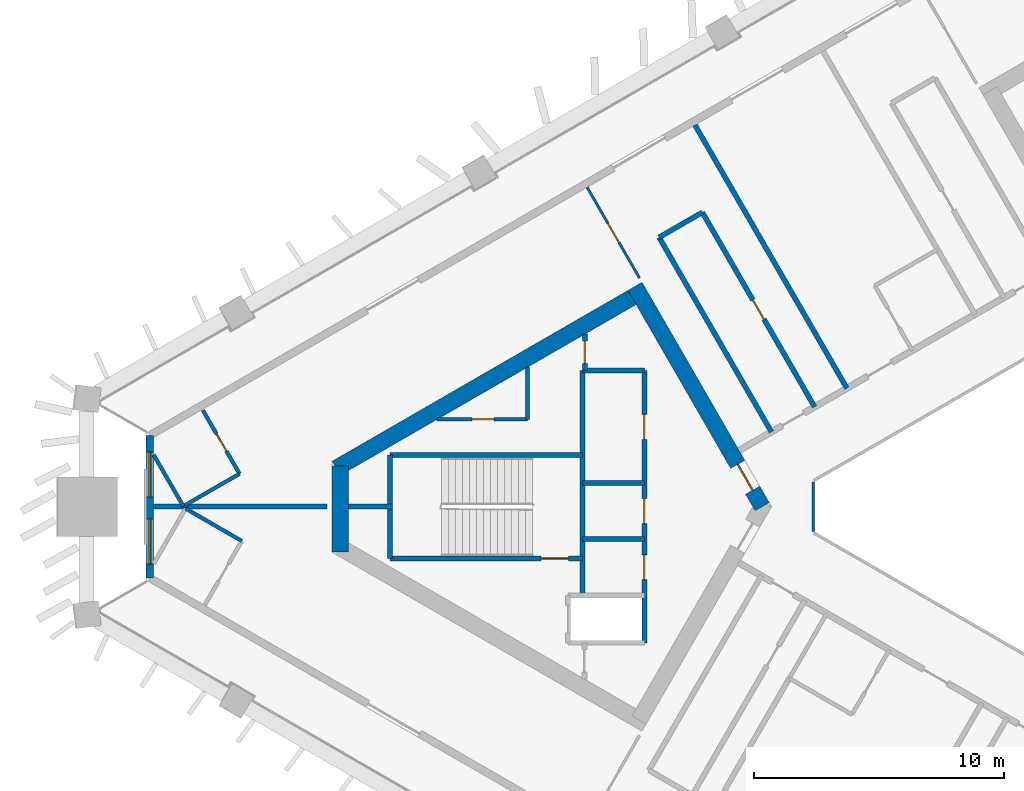
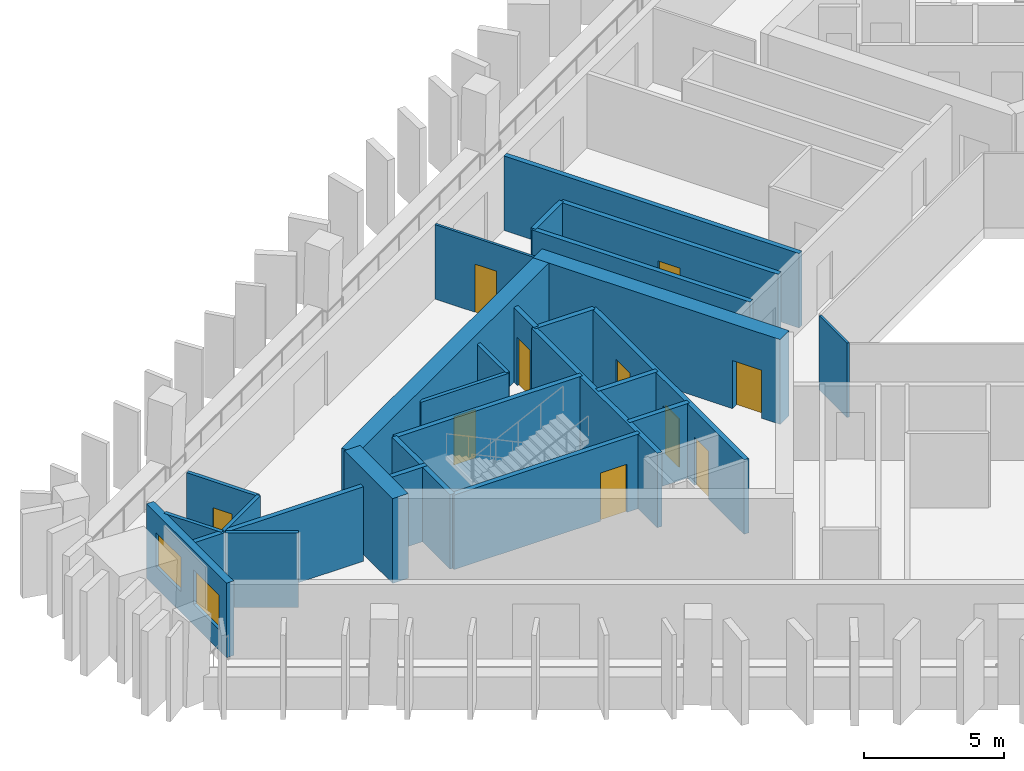
# One storey, part 4 of 11: 27 walls, 10 doors, 2 windows, 12 openings.
"""IFC4 building model written with IfcOpenShell, lengths in metres."""

from ifc_helpers import new_model, si_unit, direction, frame, frame_2d, origin, place, context, subcontext, project, spatial, rectangle, extrude, material, layer, layer_set, type_object, element, fill, save


model = new_model("IFC4")

# Units and contexts
model_context = context("Model", 3, precision=1e-05, world=origin(), true_north=direction((0.0, 1.0)))
body_context = subcontext(model_context, "Body", "Model", "MODEL_VIEW")
ifc_project = project(units=[si_unit("LENGTHUNIT", "METRE"), si_unit("AREAUNIT", "SQUARE_METRE"), si_unit("VOLUMEUNIT", "CUBIC_METRE"), si_unit("PLANEANGLEUNIT", "RADIAN"), si_unit("MASSUNIT", "GRAM", prefix="KILO")], contexts=[model_context])

# Site, building, storey
site_placement = place(None, origin())
site = spatial("IfcSite", under=ifc_project, at=site_placement, CompositionType="ELEMENT")
building_placement = place(site_placement, origin())
building = spatial("IfcBuilding", under=site, at=building_placement, Name="Jabali Bay Hotel Tower and Convention Centre", CompositionType="ELEMENT")
storey_placement = place(building_placement, frame((0.0, 0.0, 132.699951171875)))
storey = spatial("IfcBuildingStorey", under=building, at=storey_placement, Name="L32", CompositionType="ELEMENT", Elevation=132.699951171875)

# Walls
ifc_material_1 = material(Name="Fire-resistant glazing", Category="glass")
ifc_layer_1 = layer(ifc_material_1, 0.10009765625)
ifc_layer_set_1 = layer_set([ifc_layer_1], Name="Fire-resistant glazing")
wall_type_1 = type_object("IfcWallType", Name="Atrium glazed screen 100", PredefinedType="PARTITIONING", material=ifc_layer_set_1)
wall_1_placement = place(storey_placement, frame((67.672119140625, 81.0, 0.0), z_axis=(0.0, 0.0, 1.0), x_axis=(0.0, -1.0, 0.0)))
element("IfcWall", 1, at=wall_1_placement, inside=storey, type_object=wall_type_1, Name="Atrium screen 4 L32", PredefinedType="PARTITIONING", context=body_context, shape_type="SweptSolid", body=[
    extrude(rectangle(XDim=2.0, YDim=0.10009765625, at=frame_2d((1.0, 0.0))), origin(), (0.0, 0.0, 1.0), 3.25),
])
ifc_material_2 = material(Name="Concrete C40", Category="concrete")
ifc_layer_2 = layer(ifc_material_2, 0.199951171875)
ifc_layer_set_2 = layer_set([ifc_layer_2], Name="Concrete C40")
wall_type_2 = type_object("IfcWallType", Name="Core partition wall 200", PredefinedType="PARTITIONING", material=ifc_layer_set_2)
wall_2_placement = place(storey_placement, frame((50.820068359375, 80.0, 0.0), z_axis=(0.0, 0.0, 1.0), x_axis=(-1.0, 0.0, 0.0)))
element("IfcWall", 2, at=wall_2_placement, inside=storey, type_object=wall_type_2, Name="Core wall 0.4 L32", PredefinedType="PARTITIONING", context=body_context, shape_type="SweptSolid", body=[
    extrude(rectangle(XDim=1.773193359375, YDim=0.199951171875, at=frame_2d((0.88671875, 0.0))), origin(), (0.0, 0.0, 1.0), 3.25),
])

# Wall, opening, door
wall_3_placement = place(storey_placement, frame((58.52001953125, 86.916748046875, 0.0), z_axis=(0.0, 0.0, 1.0), x_axis=(0.0, -1.0, 0.0)))
wall_3 = element("IfcWall", 3, at=wall_3_placement, inside=storey, type_object=wall_type_2, Name="Core wall 0.10 L32", PredefinedType="PARTITIONING", context=body_context, shape_type="SweptSolid", body=[
    extrude(rectangle(XDim=1.466796875, YDim=0.199951171875, at=frame_2d((0.7333984375, 0.0))), origin(), (0.0, 0.0, 1.0), 3.25),
])
opening_1_placement = place(wall_3_placement, frame((0.283447265625, 0.0, 0.0)))
opening_1 = element("IfcOpeningElement", 4, at=opening_1_placement, cuts=wall_3, Name="Opening D707", PredefinedType="OPENING", context=body_context, shape_type="SweptSolid", body=[
    extrude(rectangle(XDim=0.89990234375, YDim=2.10009765625, at=frame_2d((0.449951171875, 1.050048828125))), frame((0.0, 0.1103515625, 0.0), z_axis=(0.0, -1.0, 0.0), x_axis=(1.0, 0.0, 0.0)), (0.0, 0.0, 1.0), 0.220947265625),
])
ifc_material_3 = material(Name="Fire-rated steel door", Category="steel")
door_type_1 = type_object("IfcDoorType", Name="Vestibule fire door 900 x 2100", OperationType="NOTDEFINED", PredefinedType="NOTDEFINED", material=ifc_material_3)
door_1_placement = place(opening_1_placement, origin())
door_1 = element("IfcDoor", 5, at=door_1_placement, inside=storey, type_object=door_type_1, Name="Vestibule fire door D707", OperationType="SINGLE_SWING_LEFT", OverallHeight=2.10009765625, OverallWidth=0.89990234375, PredefinedType="NOTDEFINED", context=body_context, shape_type="SweptSolid", body=[
    extrude(rectangle(XDim=0.89990234375, YDim=2.10009765625, at=frame_2d((0.449951171875, 1.050048828125))), frame((0.0, 0.02490234375, 0.0), z_axis=(0.0, -1.0, 0.0), x_axis=(1.0, 0.0, 0.0)), (0.0, 0.0, 1.0), 0.050048828125),
])
fill(opening_1, door_1)

ifc_material_4 = material(Name="Fire-rated board partition")
ifc_layer_3 = layer(ifc_material_4, 0.14990234375)
ifc_layer_set_3 = layer_set([ifc_layer_3], Name="Fire-rated board partition")
wall_type_3 = type_object("IfcWallType", Name="Core room partition 150", PredefinedType="PARTITIONING", material=ifc_layer_set_3)
wall_4_placement = place(storey_placement, frame((56.219970703125, 83.5, 0.0), z_axis=(0.0, 0.0, 1.0), x_axis=(-1.0, 0.0, 0.0)))
wall_4 = element("IfcWall", 6, at=wall_4_placement, inside=storey, type_object=wall_type_3, Name="Core wall 0.1 L32", PredefinedType="PARTITIONING", context=body_context, shape_type="SweptSolid", body=[
    extrude(rectangle(XDim=3.61767578125, YDim=0.14990234375, at=frame_2d((1.808837890625, 0.0))), origin(), (0.0, 0.0, 1.0), 3.25),
])
opening_2_placement = place(wall_4_placement, frame((1.33154296875, 0.0, 0.0)))
opening_2 = element("IfcOpeningElement", 7, at=opening_2_placement, cuts=wall_4, Name="Opening D709", PredefinedType="OPENING", context=body_context, shape_type="SweptSolid", body=[
    extrude(rectangle(XDim=0.89990234375, YDim=2.10009765625, at=frame_2d((0.449951171875, 1.050048828125))), frame((0.0, 0.08544921875, 0.0), z_axis=(0.0, -1.0, 0.0), x_axis=(1.0, 0.0, 0.0)), (0.0, 0.0, 1.0), 0.1708984375),
])
door_type_2 = type_object("IfcDoorType", Name="Core room door 900 x 2100", OperationType="NOTDEFINED", PredefinedType="NOTDEFINED", material=ifc_material_3)
door_2_placement = place(opening_2_placement, origin())
door_2 = element("IfcDoor", 8, at=door_2_placement, inside=storey, type_object=door_type_2, Name="Core room door D709", OperationType="SINGLE_SWING_LEFT", OverallHeight=2.10009765625, OverallWidth=0.89990234375, PredefinedType="NOTDEFINED", context=body_context, shape_type="SweptSolid", body=[
    extrude(rectangle(XDim=0.89990234375, YDim=2.10009765625, at=frame_2d((0.449951171875, 1.050048828125))), frame((0.0, 0.02490234375, 0.0), z_axis=(0.0, -1.0, 0.0), x_axis=(1.0, 0.0, 0.0)), (0.0, 0.0, 1.0), 0.050048828125),
])
fill(opening_2, door_2)

# Walls
wall_5_placement = place(storey_placement, frame((56.219970703125, 85.5888671875, 0.0), z_axis=(0.0, 0.0, 1.0), x_axis=(0.0, -1.0, 0.0)))
element("IfcWall", 9, at=wall_5_placement, inside=storey, type_object=wall_type_3, Name="Core wall 0.14 L32", PredefinedType="PARTITIONING", context=body_context, shape_type="SweptSolid", body=[
    extrude(rectangle(XDim=2.0888671875, YDim=0.14990234375, at=frame_2d((1.04443359375, 0.0))), origin(), (0.0, 0.0, 1.0), 3.25),
])
ifc_layer_4 = layer(ifc_material_2, 0.199951171875)
ifc_layer_set_4 = layer_set([ifc_layer_4], Name="Concrete C40")
wall_type_4 = type_object("IfcWallType", Name="Core stair wall 200", PredefinedType="SOLIDWALL", material=ifc_layer_set_4)
wall_6_placement = place(storey_placement, frame((60.89990234375, 85.449951171875, 0.0), z_axis=(0.0, 0.0, 1.0), x_axis=(-1.0, 0.0, 0.0)))
element("IfcWall", 10, at=wall_6_placement, inside=storey, type_object=wall_type_4, Name="Core wall 0.0 L32", PredefinedType="SOLIDWALL", context=body_context, shape_type="SweptSolid", body=[
    extrude(rectangle(XDim=2.47998046875, YDim=0.199951171875, at=frame_2d((1.239990234375, 0.0))), origin(), (0.0, 0.0, 1.0), 3.25),
])
wall_7_placement = place(storey_placement, frame((58.419921875, 82.074951171875, 0.0), z_axis=(0.0, 0.0, 1.0), x_axis=(-1.0, 0.0, 0.0)))
element("IfcWall", 11, at=wall_7_placement, inside=storey, type_object=wall_type_4, Name="Core wall 0.2 L32", PredefinedType="SOLIDWALL", context=body_context, shape_type="SweptSolid", body=[
    extrude(rectangle(XDim=7.699951171875, YDim=0.199951171875, at=frame_2d((3.85009765625, 0.0))), origin(), (0.0, 0.0, 1.0), 3.25),
])
for number, where, z_axis, x_axis, name in (
    (12, (60.89990234375, 80.949951171875, 0.0), (0.0, 0.0, 1.0), (-1.0, 0.0, 0.0), "Core wall 0.3 L32"),
    (13, (60.89990234375, 78.699951171875, 0.0), (0.0, 0.0, 1.0), (-1.0, 0.0, 0.0), "Core wall 0.5 L32"),
):
    element("IfcWall", number, at=place(storey_placement, frame(where, z_axis=z_axis, x_axis=x_axis)), inside=storey, type_object=wall_type_4, Name=name, PredefinedType="SOLIDWALL", context=body_context, shape_type="SweptSolid", body=[
        extrude(rectangle(XDim=2.47998046875, YDim=0.199951171875, at=frame_2d((1.239990234375, 0.0))), origin(), (0.0, 0.0, 1.0), 3.25),
    ])

# Wall, opening, door
wall_8_placement = place(storey_placement, frame((58.419921875, 77.925048828125, 0.0), z_axis=(0.0, 0.0, 1.0), x_axis=(-1.0, 0.0, 0.0)))
wall_8 = element("IfcWall", 14, at=wall_8_placement, inside=storey, type_object=wall_type_4, Name="Core wall 0.6 L32", PredefinedType="SOLIDWALL", context=body_context, shape_type="SweptSolid", body=[
    extrude(rectangle(XDim=7.699951171875, YDim=0.199951171875, at=frame_2d((3.85009765625, 0.0))), origin(), (0.0, 0.0, 1.0), 3.25),
])
opening_3_placement = place(wall_8_placement, frame((0.550048828125, 0.0, 0.0)))
opening_3 = element("IfcOpeningElement", 15, at=opening_3_placement, cuts=wall_8, Name="Opening D708", PredefinedType="OPENING", context=body_context, shape_type="SweptSolid", body=[
    extrude(rectangle(XDim=1.10009765625, YDim=2.10009765625, at=frame_2d((0.550048828125, 1.050048828125))), frame((0.0, 0.1103515625, 0.0), z_axis=(0.0, -1.0, 0.0), x_axis=(1.0, 0.0, 0.0)), (0.0, 0.0, 1.0), 0.220947265625),
])
door_type_3 = type_object("IfcDoorType", Name="Stair fire door 1100 x 2100", OperationType="NOTDEFINED", PredefinedType="NOTDEFINED", material=ifc_material_3)
door_3_placement = place(opening_3_placement, origin())
door_3 = element("IfcDoor", 16, at=door_3_placement, inside=storey, type_object=door_type_3, Name="Stair fire door D708", OperationType="SINGLE_SWING_RIGHT", OverallHeight=2.10009765625, OverallWidth=1.10009765625, PredefinedType="NOTDEFINED", context=body_context, shape_type="SweptSolid", body=[
    extrude(rectangle(XDim=1.10009765625, YDim=2.10009765625, at=frame_2d((0.550048828125, 1.050048828125))), frame((0.0, 0.02490234375, 0.0), z_axis=(0.0, -1.0, 0.0), x_axis=(1.0, 0.0, 0.0)), (0.0, 0.0, 1.0), 0.050048828125),
])
fill(opening_3, door_3)

# Wall, openings, doors
wall_9_placement = place(storey_placement, frame((60.89990234375, 85.449951171875, 0.0), z_axis=(0.0, 0.0, 1.0), x_axis=(0.0, -1.0, 0.0)))
wall_9 = element("IfcWall", 17, at=wall_9_placement, inside=storey, type_object=wall_type_4, Name="Core wall 0.9 L32", PredefinedType="SOLIDWALL", context=body_context, shape_type="SweptSolid", body=[
    extrude(rectangle(XDim=10.89990234375, YDim=0.199951171875, at=frame_2d((5.449951171875, 0.0))), origin(), (0.0, 0.0, 1.0), 3.25),
])
opening_4_placement = place(wall_9_placement, frame((1.75, 0.0, 0.0)))
opening_4 = element("IfcOpeningElement", 18, at=opening_4_placement, cuts=wall_9, Name="Opening D703", PredefinedType="OPENING", context=body_context, shape_type="SweptSolid", body=[
    extrude(rectangle(XDim=1.0, YDim=2.10009765625, at=frame_2d((0.5, 1.050048828125))), frame((0.0, 0.1103515625, 0.0), z_axis=(0.0, -1.0, 0.0), x_axis=(1.0, 0.0, 0.0)), (0.0, 0.0, 1.0), 0.220947265625),
])
opening_5_placement = place(wall_9_placement, frame((5.125, 0.0, 0.0)))
opening_5 = element("IfcOpeningElement", 19, at=opening_5_placement, cuts=wall_9, Name="Opening D704", PredefinedType="OPENING", context=body_context, shape_type="SweptSolid", body=[
    extrude(rectangle(XDim=1.0, YDim=2.10009765625, at=frame_2d((0.5, 1.050048828125))), frame((0.0, 0.1103515625, 0.0), z_axis=(0.0, -1.0, 0.0), x_axis=(1.0, 0.0, 0.0)), (0.0, 0.0, 1.0), 0.220947265625),
])
opening_6_placement = place(wall_9_placement, frame((7.375, 0.0, 0.0)))
opening_6 = element("IfcOpeningElement", 20, at=opening_6_placement, cuts=wall_9, Name="Opening D705", PredefinedType="OPENING", context=body_context, shape_type="SweptSolid", body=[
    extrude(rectangle(XDim=1.0, YDim=2.10009765625, at=frame_2d((0.5, 1.050048828125))), frame((0.0, 0.1103515625, 0.0), z_axis=(0.0, -1.0, 0.0), x_axis=(1.0, 0.0, 0.0)), (0.0, 0.0, 1.0), 0.220947265625),
])
door_type_4 = type_object("IfcDoorType", Name="Core room door 1000 x 2100", OperationType="NOTDEFINED", PredefinedType="NOTDEFINED", material=ifc_material_3)
door_4_placement = place(opening_4_placement, origin())
door_4 = element("IfcDoor", 21, at=door_4_placement, inside=storey, type_object=door_type_4, Name="Core room door D703", OperationType="SINGLE_SWING_RIGHT", OverallHeight=2.10009765625, OverallWidth=1.0, PredefinedType="NOTDEFINED", context=body_context, shape_type="SweptSolid", body=[
    extrude(rectangle(XDim=1.0, YDim=2.10009765625, at=frame_2d((0.5, 1.050048828125))), frame((0.0, 0.02490234375, 0.0), z_axis=(0.0, -1.0, 0.0), x_axis=(1.0, 0.0, 0.0)), (0.0, 0.0, 1.0), 0.050048828125),
])
fill(opening_4, door_4)
door_5_placement = place(opening_5_placement, origin())
door_5 = element("IfcDoor", 22, at=door_5_placement, inside=storey, type_object=door_type_4, Name="Core room door D704", OperationType="SINGLE_SWING_RIGHT", OverallHeight=2.10009765625, OverallWidth=1.0, PredefinedType="NOTDEFINED", context=body_context, shape_type="SweptSolid", body=[
    extrude(rectangle(XDim=1.0, YDim=2.10009765625, at=frame_2d((0.5, 1.050048828125))), frame((0.0, 0.02490234375, 0.0), z_axis=(0.0, -1.0, 0.0), x_axis=(1.0, 0.0, 0.0)), (0.0, 0.0, 1.0), 0.050048828125),
])
fill(opening_5, door_5)
door_6_placement = place(opening_6_placement, origin())
door_6 = element("IfcDoor", 23, at=door_6_placement, inside=storey, type_object=door_type_4, Name="Core room door D705", OperationType="SINGLE_SWING_RIGHT", OverallHeight=2.10009765625, OverallWidth=1.0, PredefinedType="NOTDEFINED", context=body_context, shape_type="SweptSolid", body=[
    extrude(rectangle(XDim=1.0, YDim=2.10009765625, at=frame_2d((0.5, 1.050048828125))), frame((0.0, 0.02490234375, 0.0), z_axis=(0.0, -1.0, 0.0), x_axis=(1.0, 0.0, 0.0)), (0.0, 0.0, 1.0), 0.050048828125),
])
fill(opening_6, door_6)

# Walls
wall_10_placement = place(storey_placement, frame((58.419921875, 85.449951171875, 0.0), z_axis=(0.0, 0.0, 1.0), x_axis=(0.0, -1.0, 0.0)))
element("IfcWall", 24, at=wall_10_placement, inside=storey, type_object=wall_type_4, Name="Core wall 0.12 L32", PredefinedType="SOLIDWALL", context=body_context, shape_type="SweptSolid", body=[
    extrude(rectangle(XDim=9.0, YDim=0.199951171875, at=frame_2d((4.5, 0.0))), origin(), (0.0, 0.0, 1.0), 3.25),
])
wall_11_placement = place(storey_placement, frame((50.719970703125, 82.074951171875, 0.0), z_axis=(0.0, 0.0, 1.0), x_axis=(0.0, -1.0, 0.0)))
element("IfcWall", 25, at=wall_11_placement, inside=storey, type_object=wall_type_4, Name="Core wall 0.15 L32", PredefinedType="SOLIDWALL", context=body_context, shape_type="SweptSolid", body=[
    extrude(rectangle(XDim=4.14990234375, YDim=0.199951171875, at=frame_2d((2.074951171875, 0.0))), origin(), (0.0, 0.0, 1.0), 3.25),
])

# Wall, opening, door
ifc_material_5 = material(Name="Concrete C60", Category="concrete")
ifc_layer_5 = layer(ifc_material_5, 0.64990234375)
ifc_layer_set_5 = layer_set([ifc_layer_5], Name="Concrete C60")
wall_type_5 = type_object("IfcWallType", Name="Core wall 650", PredefinedType="SHEAR", material=ifc_layer_set_5)
wall_12_placement = place(storey_placement, frame((65.624755859375, 80.0, 0.0), z_axis=(0.0, 0.0, 1.0), x_axis=(-0.49999822179, 0.866026430432, 0.0)))
wall_12 = element("IfcWall", 26, at=wall_12_placement, inside=storey, type_object=wall_type_5, Name="Core wall 1.1 L32", PredefinedType="SHEAR", context=body_context, shape_type="SweptSolid", body=[
    extrude(rectangle(XDim=10.1923828125, YDim=0.64990234375, at=frame_2d((5.09619140625, 0.0))), origin(), (0.0, 0.0, 1.0), 3.699951171875),
])
opening_7_placement = place(wall_12_placement, frame((0.762451171875, 0.0, 0.0)))
opening_7 = element("IfcOpeningElement", 27, at=opening_7_placement, cuts=wall_12, Name="Opening D701", PredefinedType="OPENING", context=body_context, shape_type="SweptSolid", body=[
    extrude(rectangle(XDim=1.199951171875, YDim=2.10009765625, at=frame_2d((0.60009765625, 1.050048828125))), frame((0.0, 0.33544921875, 0.0), z_axis=(0.0, -1.0, 0.0), x_axis=(1.0, 0.0, 0.0)), (0.0, 0.0, 1.0), 0.6708984375),
])
door_type_5 = type_object("IfcDoorType", Name="Corridor end fire door 1200 x 2100", OperationType="NOTDEFINED", PredefinedType="NOTDEFINED", material=ifc_material_3)
door_7_placement = place(opening_7_placement, origin())
door_7 = element("IfcDoor", 28, at=door_7_placement, inside=storey, type_object=door_type_5, Name="Corridor end fire door D701", OperationType="SINGLE_SWING_RIGHT", OverallHeight=2.10009765625, OverallWidth=1.199951171875, PredefinedType="NOTDEFINED", context=body_context, shape_type="SweptSolid", body=[
    extrude(rectangle(XDim=1.199951171875, YDim=2.10009765625, at=frame_2d((0.60009765625, 1.050048828125))), frame((0.0, 0.02490234375, 0.0), z_axis=(0.0, -1.0, 0.0), x_axis=(1.0, 0.0, 0.0)), (0.0, 0.0, 1.0), 0.050048828125),
])
fill(opening_7, door_7)

# Walls
wall_13_placement = place(storey_placement, frame((60.691162109375, 88.54541015625, 0.0), z_axis=(0.0, 0.0, 1.0), x_axis=(-0.866030607649, -0.499990986534, 0.0)))
element("IfcWall", 29, at=wall_13_placement, inside=storey, type_object=wall_type_5, Name="Core wall 1.2 L32", PredefinedType="SHEAR", context=body_context, shape_type="SweptSolid", body=[
    extrude(rectangle(XDim=14.008544921875, YDim=0.64990234375, at=frame_2d((7.00439453125, 0.0))), origin(), (0.0, 0.0, 1.0), 3.699951171875),
])
wall_14_placement = place(storey_placement, frame((48.721923828125, 81.635009765625, 0.0), z_axis=(0.0, 0.0, 1.0), x_axis=(0.0, -1.0, 0.0)))
element("IfcWall", 30, at=wall_14_placement, inside=storey, type_object=wall_type_5, Name="Core wall 1.3 L32", PredefinedType="SHEAR", context=body_context, shape_type="SweptSolid", body=[
    extrude(rectangle(XDim=3.457763671875, YDim=0.64990234375, at=frame_2d((1.72900390625, 0.0))), origin(), (0.0, 0.0, 1.0), 3.699951171875),
])

# Wall, openings, windows
ifc_layer_6 = layer(ifc_material_2, 0.300048828125)
ifc_layer_set_6 = layer_set([ifc_layer_6], Name="Concrete C40")
wall_type_6 = type_object("IfcWallType", Name="External wall 300", PredefinedType="SOLIDWALL", material=ifc_layer_set_6)
wall_15_placement = place(storey_placement, frame((41.096923828125, 77.14208984375, 0.0), z_axis=(0.0, 0.0, 1.0), x_axis=(0.0, 1.0, 0.0)))
wall_15 = element("IfcWall", 31, at=wall_15_placement, inside=storey, type_object=wall_type_6, Name="External wall west chamfer L32", PredefinedType="SOLIDWALL", context=body_context, shape_type="SweptSolid", body=[
    extrude(rectangle(XDim=5.7158203125, YDim=0.300048828125, at=frame_2d((2.85791015625, 0.0))), origin(), (0.0, 0.0, 1.0), 3.25),
])
opening_8_placement = place(wall_15_placement, frame((3.255126953125, 0.0, 0.89990234375)))
opening_8 = element("IfcOpeningElement", 32, at=opening_8_placement, cuts=wall_15, Name="Opening W1", PredefinedType="OPENING", context=body_context, shape_type="SweptSolid", body=[
    extrude(rectangle(XDim=1.800048828125, YDim=1.5, at=frame_2d((0.89990234375, 0.75))), frame((0.0, 0.16064453125, 0.0), z_axis=(0.0, -1.0, 0.0), x_axis=(1.0, 0.0, 0.0)), (0.0, 0.0, 1.0), 0.321044921875),
])
opening_9_placement = place(wall_15_placement, frame((0.557373046875, 0.0, 0.89990234375)))
opening_9 = element("IfcOpeningElement", 33, at=opening_9_placement, cuts=wall_15, Name="Opening W1", PredefinedType="OPENING", context=body_context, shape_type="SweptSolid", body=[
    extrude(rectangle(XDim=1.800048828125, YDim=1.5, at=frame_2d((0.89990234375, 0.75))), frame((0.0, 0.16064453125, 0.0), z_axis=(0.0, -1.0, 0.0), x_axis=(1.0, 0.0, 0.0)), (0.0, 0.0, 1.0), 0.321044921875),
])
ifc_material_6 = material(Name="Glass", Category="glass")
window_type = type_object("IfcWindowType", Name="Window 1800 x 1500", PartitioningType="SINGLE_PANEL", PredefinedType="WINDOW", material=ifc_material_6)
window_1_placement = place(opening_8_placement, origin())
window_1 = element("IfcWindow", 34, at=window_1_placement, inside=storey, type_object=window_type, Name="Window 3209", OverallHeight=1.5, OverallWidth=1.800048828125, PartitioningType="SINGLE_PANEL", PredefinedType="WINDOW", context=body_context, shape_type="SweptSolid", body=[
    extrude(rectangle(XDim=1.800048828125, YDim=1.5, at=frame_2d((0.89990234375, 0.75))), frame((0.0, 0.030029296875, 0.0), z_axis=(0.0, -1.0, 0.0), x_axis=(1.0, 0.0, 0.0)), (0.0, 0.0, 1.0), 0.06005859375),
])
fill(opening_8, window_1)
window_2_placement = place(opening_9_placement, origin())
window_2 = element("IfcWindow", 35, at=window_2_placement, inside=storey, type_object=window_type, Name="Window 3211", OverallHeight=1.5, OverallWidth=1.800048828125, PartitioningType="SINGLE_PANEL", PredefinedType="WINDOW", context=body_context, shape_type="SweptSolid", body=[
    extrude(rectangle(XDim=1.800048828125, YDim=1.5, at=frame_2d((0.89990234375, 0.75))), frame((0.0, 0.030029296875, 0.0), z_axis=(0.0, -1.0, 0.0), x_axis=(1.0, 0.0, 0.0)), (0.0, 0.0, 1.0), 0.06005859375),
])
fill(opening_9, window_2)

# Wall, opening, door
ifc_material_7 = material(Name="Plasterboard on steel stud", Category="steel")
ifc_layer_7 = layer(ifc_material_7, 0.10009765625)
ifc_layer_set_7 = layer_set([ifc_layer_7], Name="Plasterboard on steel stud")
wall_type_7 = type_object("IfcWallType", Name="Partition 100 unit", PredefinedType="PARTITIONING", material=ifc_layer_set_7)
wall_16_placement = place(storey_placement, frame((58.611083984375, 92.7978515625, 0.0), z_axis=(0.0, 0.0, 1.0), x_axis=(0.49999760543, -0.866026786286, 0.0)))
wall_16 = element("IfcWall", 36, at=wall_16_placement, inside=storey, type_object=wall_type_7, Name="Partition P02 L32 033", PredefinedType="PARTITIONING", context=body_context, shape_type="SweptSolid", body=[
    extrude(rectangle(XDim=4.19873046875, YDim=0.10009765625, at=frame_2d((2.099365234375, 0.0))), origin(), (0.0, 0.0, 1.0), 3.25),
])
opening_10_placement = place(wall_16_placement, frame((1.64892578125, 0.0, 0.0)))
opening_10 = element("IfcOpeningElement", 37, at=opening_10_placement, cuts=wall_16, Name="Opening 3218", PredefinedType="OPENING", context=body_context, shape_type="SweptSolid", body=[
    extrude(rectangle(XDim=0.89990234375, YDim=2.10009765625, at=frame_2d((0.449951171875, 1.050048828125))), frame((0.0, 0.060546875, 0.0), z_axis=(0.0, -1.0, 0.0), x_axis=(1.0, 0.0, 0.0)), (0.0, 0.0, 1.0), 0.12109375),
])
ifc_material_8 = material(Name="Timber", Category="wood")
door_type_6 = type_object("IfcDoorType", Name="Internal door 900 x 2100", OperationType="NOTDEFINED", PredefinedType="NOTDEFINED", material=ifc_material_8)
door_8_placement = place(opening_10_placement, origin())
door_8 = element("IfcDoor", 38, at=door_8_placement, inside=storey, type_object=door_type_6, Name="Door 3218", OperationType="SINGLE_SWING_LEFT", OverallHeight=2.10009765625, OverallWidth=0.89990234375, PredefinedType="NOTDEFINED", context=body_context, shape_type="SweptSolid", body=[
    extrude(rectangle(XDim=0.89990234375, YDim=2.10009765625, at=frame_2d((0.449951171875, 1.050048828125))), frame((0.0, 0.02490234375, 0.0), z_axis=(0.0, -1.0, 0.0), x_axis=(1.0, 0.0, 0.0)), (0.0, 0.0, 1.0), 0.050048828125),
])
fill(opening_10, door_8)

ifc_layer_8 = layer(ifc_material_7, 0.14990234375)
ifc_layer_set_8 = layer_set([ifc_layer_8], Name="Plasterboard on steel stud")
wall_type_8 = type_object("IfcWallType", Name="Partition 150 wet", PredefinedType="PARTITIONING", material=ifc_layer_set_8)
wall_17_placement = place(storey_placement, frame((43.216552734375, 83.8623046875, 0.0), z_axis=(0.0, 0.0, 1.0), x_axis=(0.499976855651, -0.866038765768, 0.0)))
wall_17 = element("IfcWall", 39, at=wall_17_placement, inside=storey, type_object=wall_type_8, Name="Partition P03 L32 037", PredefinedType="PARTITIONING", context=body_context, shape_type="SweptSolid", body=[
    extrude(rectangle(XDim=2.935302734375, YDim=0.14990234375, at=frame_2d((1.4677734375, 0.0))), origin(), (0.0, 0.0, 1.0), 3.25),
])
opening_11_placement = place(wall_17_placement, frame((1.085205078125, 0.0, 0.0)))
opening_11 = element("IfcOpeningElement", 40, at=opening_11_placement, cuts=wall_17, Name="Opening 3219", PredefinedType="OPENING", context=body_context, shape_type="SweptSolid", body=[
    extrude(rectangle(XDim=0.800048828125, YDim=2.10009765625, at=frame_2d((0.39990234375, 1.050048828125))), frame((0.0, 0.08544921875, 0.0), z_axis=(0.0, -1.0, 0.0), x_axis=(1.0, 0.0, 0.0)), (0.0, 0.0, 1.0), 0.1708984375),
])
door_type_7 = type_object("IfcDoorType", Name="En-suite door 800 x 2100", OperationType="NOTDEFINED", PredefinedType="NOTDEFINED", material=ifc_material_8)
door_9_placement = place(opening_11_placement, origin())
door_9 = element("IfcDoor", 41, at=door_9_placement, inside=storey, type_object=door_type_7, Name="Door 3219", OperationType="SINGLE_SWING_LEFT", OverallHeight=2.10009765625, OverallWidth=0.800048828125, PredefinedType="NOTDEFINED", context=body_context, shape_type="SweptSolid", body=[
    extrude(rectangle(XDim=0.800048828125, YDim=2.10009765625, at=frame_2d((0.39990234375, 1.050048828125))), frame((0.0, 0.02490234375, 0.0), z_axis=(0.0, -1.0, 0.0), x_axis=(1.0, 0.0, 0.0)), (0.0, 0.0, 1.0), 0.050048828125),
])
fill(opening_11, door_9)

# Walls
wall_18_placement = place(storey_placement, frame((44.68408203125, 81.3203125, 0.0), z_axis=(0.0, 0.0, 1.0), x_axis=(-0.866062058628, -0.499936506574, 0.0)))
element("IfcWall", 42, at=wall_18_placement, inside=storey, type_object=wall_type_8, Name="Partition P03 L32 038", PredefinedType="PARTITIONING", context=body_context, shape_type="SweptSolid", body=[
    extrude(rectangle(XDim=2.599853515625, YDim=0.14990234375, at=frame_2d((1.2998046875, 0.0))), origin(), (0.0, 0.0, 1.0), 3.25),
])
wall_19_placement = place(storey_placement, frame((42.432373046875, 80.0205078125, 0.0), z_axis=(0.0, 0.0, 1.0), x_axis=(-0.500078724409, 0.865979947454, 0.0)))
element("IfcWall", 43, at=wall_19_placement, inside=storey, type_object=wall_type_8, Name="Partition P03 L32 039", PredefinedType="PARTITIONING", context=body_context, shape_type="SweptSolid", body=[
    extrude(rectangle(XDim=2.37255859375, YDim=0.14990234375, at=frame_2d((1.186279296875, 0.0))), origin(), (0.0, 0.0, 1.0), 3.25),
])
wall_20_placement = place(storey_placement, frame((42.52197265625, 79.927978515625, 0.0), z_axis=(0.0, 0.0, 1.0), x_axis=(0.865997922154, -0.500047596559, 0.0)))
element("IfcWall", 44, at=wall_20_placement, inside=storey, type_object=wall_type_8, Name="Partition P03 L32 048", PredefinedType="PARTITIONING", context=body_context, shape_type="SweptSolid", body=[
    extrude(rectangle(XDim=2.599853515625, YDim=0.14990234375, at=frame_2d((1.2998046875, 0.0))), origin(), (0.0, 0.0, 1.0), 3.25),
])
ifc_layer_9 = layer(ifc_material_7, 0.199951171875)
ifc_layer_set_9 = layer_set([ifc_layer_9], Name="Plasterboard on steel stud")
wall_type_9 = type_object("IfcWallType", Name="Partition 200 party", PredefinedType="PARTITIONING", material=ifc_layer_set_9)
wall_21_placement = place(storey_placement, frame((62.93115234375, 95.2919921875, 0.0), z_axis=(0.0, 0.0, 1.0), x_axis=(0.500003013575, -0.866023663889, 0.0)))
element("IfcWall", 45, at=wall_21_placement, inside=storey, type_object=wall_type_9, Name="Partition P01 L32 032", PredefinedType="PARTITIONING", context=body_context, shape_type="SweptSolid", body=[
    extrude(rectangle(XDim=12.177734375, YDim=0.199951171875, at=frame_2d((6.0888671875, 0.0))), origin(), (0.0, 0.0, 1.0), 3.25),
])
wall_22_placement = place(storey_placement, frame((65.993896484375, 82.998779296875, 0.0), z_axis=(0.0, 0.0, 1.0), x_axis=(-0.5000018851, 0.866024315419, 0.0)))
element("IfcWall", 46, at=wall_22_placement, inside=storey, type_object=wall_type_9, Name="Partition P01 L32 034", PredefinedType="PARTITIONING", context=body_context, shape_type="SweptSolid", body=[
    extrude(rectangle(XDim=9.0, YDim=0.199951171875, at=frame_2d((4.5, 0.0))), origin(), (0.0, 0.0, 1.0), 3.25),
])
wall_23_placement = place(storey_placement, frame((61.493896484375, 90.79296875, 0.0), z_axis=(0.0, 0.0, 1.0), x_axis=(0.866041268327, 0.499972520799, 0.0)))
element("IfcWall", 47, at=wall_23_placement, inside=storey, type_object=wall_type_9, Name="Partition P01 L32 035", PredefinedType="PARTITIONING", context=body_context, shape_type="SweptSolid", body=[
    extrude(rectangle(XDim=2.0, YDim=0.199951171875, at=frame_2d((1.0, 0.0))), origin(), (0.0, 0.0, 1.0), 3.25),
])

# Wall, opening, door
wall_24_placement = place(storey_placement, frame((63.22607421875, 91.79296875, 0.0), z_axis=(0.0, 0.0, 1.0), x_axis=(0.5000018851, -0.866024315419, 0.0)))
wall_24 = element("IfcWall", 48, at=wall_24_placement, inside=storey, type_object=wall_type_9, Name="Partition P01 L32 036", PredefinedType="PARTITIONING", context=body_context, shape_type="SweptSolid", body=[
    extrude(rectangle(XDim=9.0, YDim=0.199951171875, at=frame_2d((4.5, 0.0))), origin(), (0.0, 0.0, 1.0), 3.25),
])
opening_12_placement = place(wall_24_placement, frame((4.050048828125, 0.0, 0.0)))
opening_12 = element("IfcOpeningElement", 49, at=opening_12_placement, cuts=wall_24, Name="Opening 3220", PredefinedType="OPENING", context=body_context, shape_type="SweptSolid", body=[
    extrude(rectangle(XDim=0.89990234375, YDim=2.10009765625, at=frame_2d((0.449951171875, 1.050048828125))), frame((0.0, 0.1103515625, 0.0), z_axis=(0.0, -1.0, 0.0), x_axis=(1.0, 0.0, 0.0)), (0.0, 0.0, 1.0), 0.220947265625),
])
door_10_placement = place(opening_12_placement, origin())
door_10 = element("IfcDoor", 50, at=door_10_placement, inside=storey, type_object=door_type_6, Name="Door 3220", OperationType="SINGLE_SWING_LEFT", OverallHeight=2.10009765625, OverallWidth=0.89990234375, PredefinedType="NOTDEFINED", context=body_context, shape_type="SweptSolid", body=[
    extrude(rectangle(XDim=0.89990234375, YDim=2.10009765625, at=frame_2d((0.449951171875, 1.050048828125))), frame((0.0, 0.02490234375, 0.0), z_axis=(0.0, -1.0, 0.0), x_axis=(1.0, 0.0, 0.0)), (0.0, 0.0, 1.0), 0.050048828125),
])
fill(opening_12, door_10)

# Wall
wall_25_placement = place(storey_placement, frame((41.245849609375, 80.0, 0.0), z_axis=(0.0, 0.0, 1.0), x_axis=(1.0, 0.0, 0.0)))
element("IfcWall", 51, at=wall_25_placement, inside=storey, type_object=wall_type_9, Name="Partition P01 L32 040", PredefinedType="PARTITIONING", context=body_context, shape_type="SweptSolid", body=[
    extrude(rectangle(XDim=6.9521484375, YDim=0.199951171875, at=frame_2d((3.47607421875, 0.0))), origin(), (0.0, 0.0, 1.0), 3.25),
])

save(model, "model.ifc")
